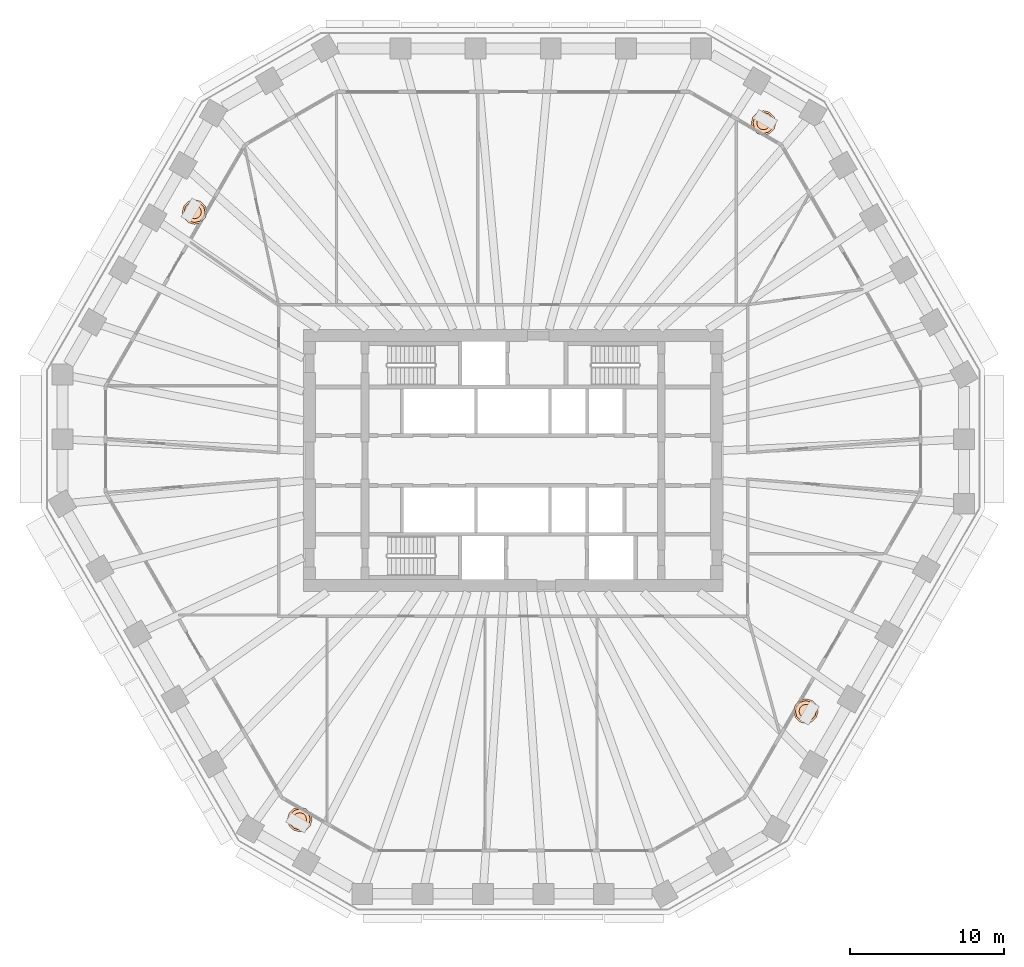
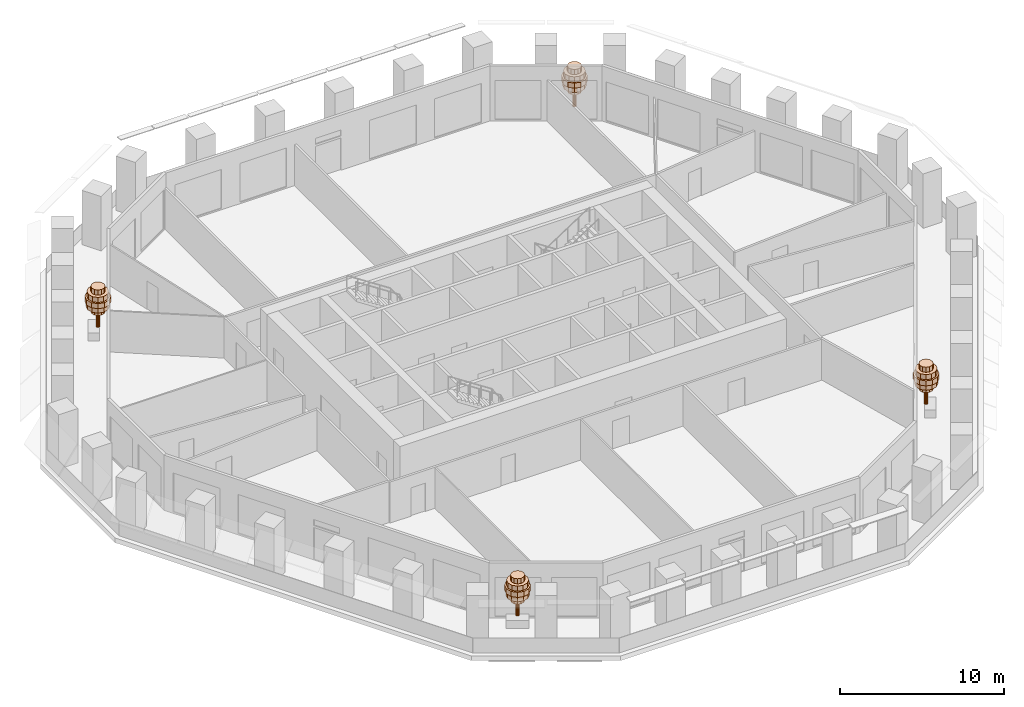
# One storey, part 12 of 12: 4 geographic elements.
"""IFC4 building model written with IfcOpenShell, lengths in metres."""

from ifc_helpers import new_model, si_unit, direction, frame, origin, place, context, subcontext, project, spatial, polyline, outline, extrude, material, type_object, element, save


model = new_model("IFC4")

# Units and contexts
model_context = context("Model", 3, precision=1e-05, world=origin(), true_north=direction((0.0, 1.0)))
body_context = subcontext(model_context, "Body", "Model", "MODEL_VIEW")
ifc_project = project(units=[si_unit("LENGTHUNIT", "METRE"), si_unit("AREAUNIT", "SQUARE_METRE"), si_unit("VOLUMEUNIT", "CUBIC_METRE"), si_unit("PLANEANGLEUNIT", "RADIAN"), si_unit("MASSUNIT", "GRAM", prefix="KILO")], contexts=[model_context])

# Site, building, storey
site_placement = place(None, origin())
site = spatial("IfcSite", under=ifc_project, at=site_placement, CompositionType="ELEMENT")
building_placement = place(site_placement, origin())
building = spatial("IfcBuilding", under=site, at=building_placement, Name="Frailejon Research Tower", CompositionType="ELEMENT")
storey_placement = place(building_placement, frame((0.0, 0.0, 130.800048828125)))
storey = spatial("IfcBuildingStorey", under=building, at=storey_placement, Name="L28", CompositionType="ELEMENT", Elevation=130.800048828125)

# Geographic elements
ifc_material = material(Name="Foliage, green")
geographic_element_type = type_object("IfcGeographicElementType", Name="Frailejon tree, loggia", PredefinedType="USERDEFINED", material=ifc_material)
geographic_element_1_placement = place(storey_placement, frame((16.22802734375, 21.878173828125, 0.599853515625)))
element("IfcGeographicElement", 1, at=geographic_element_1_placement, inside=storey, type_object=geographic_element_type, Name="Tree L28", ObjectType="TREE", PredefinedType="USERDEFINED", context=body_context, shape_type="SweptSolid", body=[
    extrude(outline(polyline([(0.1298828125, 0.0), (0.112548828125, 0.06494140625), (0.06494140625, 0.112548828125), (0.0, 0.1298828125), (-0.06494140625, 0.112548828125), (-0.112548828125, 0.06494140625), (-0.1298828125, 0.0), (-0.112548828125, -0.06494140625), (-0.06494140625, -0.112548828125), (0.0, -0.1298828125), (0.06494140625, -0.112548828125), (0.112548828125, -0.06494140625), (0.1298828125, 0.0)])), origin(), (0.0, 0.0, 1.0), 2.239990234375),
    extrude(outline(polyline([(0.43994140625, 0.0), (0.381103515625, 0.219970703125), (0.219970703125, 0.381103515625), (0.0, 0.43994140625), (-0.219970703125, 0.381103515625), (-0.381103515625, 0.219970703125), (-0.43994140625, 0.0), (-0.381103515625, -0.219970703125), (-0.219970703125, -0.381103515625), (0.0, -0.43994140625), (0.219970703125, -0.381103515625), (0.381103515625, -0.219970703125), (0.43994140625, 0.0)])), frame((0.0, 0.0, 1.10009765625)), (0.0, 0.0, 1.0), 0.3798828125),
    extrude(outline(polyline([(0.719970703125, 0.0), (0.62353515625, 0.360107421875), (0.360107421875, 0.62353515625), (0.0, 0.719970703125), (-0.360107421875, 0.62353515625), (-0.62353515625, 0.360107421875), (-0.719970703125, 0.0), (-0.62353515625, -0.360107421875), (-0.360107421875, -0.62353515625), (0.0, -0.719970703125), (0.360107421875, -0.62353515625), (0.62353515625, -0.360107421875), (0.719970703125, 0.0)])), frame((0.0, 0.0, 1.47998046875)), (0.0, 0.0, 1.0), 0.3798828125),
    extrude(outline(polyline([(0.800048828125, 0.0), (0.69287109375, 0.39990234375), (0.39990234375, 0.69287109375), (0.0, 0.800048828125), (-0.39990234375, 0.69287109375), (-0.69287109375, 0.39990234375), (-0.800048828125, 0.0), (-0.69287109375, -0.39990234375), (-0.39990234375, -0.69287109375), (0.0, -0.800048828125), (0.39990234375, -0.69287109375), (0.69287109375, -0.39990234375), (0.800048828125, 0.0)])), frame((0.0, 0.0, 1.860107421875)), (0.0, 0.0, 1.0), 0.3798828125),
    extrude(outline(polyline([(0.679931640625, 0.0), (0.5888671875, 0.340087890625), (0.340087890625, 0.5888671875), (0.0, 0.679931640625), (-0.340087890625, 0.5888671875), (-0.5888671875, 0.340087890625), (-0.679931640625, 0.0), (-0.5888671875, -0.340087890625), (-0.340087890625, -0.5888671875), (0.0, -0.679931640625), (0.340087890625, -0.5888671875), (0.5888671875, -0.340087890625), (0.679931640625, 0.0)])), frame((0.0, 0.0, 2.239990234375)), (0.0, 0.0, 1.0), 0.3798828125),
    extrude(outline(polyline([(0.43994140625, 0.0), (0.381103515625, 0.219970703125), (0.219970703125, 0.381103515625), (0.0, 0.43994140625), (-0.219970703125, 0.381103515625), (-0.381103515625, 0.219970703125), (-0.43994140625, 0.0), (-0.381103515625, -0.219970703125), (-0.219970703125, -0.381103515625), (0.0, -0.43994140625), (0.219970703125, -0.381103515625), (0.381103515625, -0.219970703125), (0.43994140625, 0.0)])), frame((0.0, 0.0, 2.6201171875)), (0.0, 0.0, 1.0), 0.3798828125),
])
geographic_element_2_placement = place(storey_placement, frame((-20.646728515625, 16.104248046875, 0.599853515625)))
element("IfcGeographicElement", 2, at=geographic_element_2_placement, inside=storey, type_object=geographic_element_type, Name="Tree L28", ObjectType="TREE", PredefinedType="USERDEFINED", context=body_context, shape_type="SweptSolid", body=[
    extrude(outline(polyline([(0.1298828125, 0.0), (0.112548828125, 0.06494140625), (0.06494140625, 0.112548828125), (0.0, 0.1298828125), (-0.06494140625, 0.112548828125), (-0.112548828125, 0.06494140625), (-0.1298828125, 0.0), (-0.112548828125, -0.06494140625), (-0.06494140625, -0.112548828125), (0.0, -0.1298828125), (0.06494140625, -0.112548828125), (0.112548828125, -0.06494140625), (0.1298828125, 0.0)])), origin(), (0.0, 0.0, 1.0), 2.239990234375),
    extrude(outline(polyline([(0.43994140625, 0.0), (0.381103515625, 0.219970703125), (0.219970703125, 0.381103515625), (0.0, 0.43994140625), (-0.219970703125, 0.381103515625), (-0.381103515625, 0.219970703125), (-0.43994140625, 0.0), (-0.381103515625, -0.219970703125), (-0.219970703125, -0.381103515625), (0.0, -0.43994140625), (0.219970703125, -0.381103515625), (0.381103515625, -0.219970703125), (0.43994140625, 0.0)])), frame((0.0, 0.0, 1.10009765625)), (0.0, 0.0, 1.0), 0.3798828125),
    extrude(outline(polyline([(0.719970703125, 0.0), (0.62353515625, 0.360107421875), (0.360107421875, 0.62353515625), (0.0, 0.719970703125), (-0.360107421875, 0.62353515625), (-0.62353515625, 0.360107421875), (-0.719970703125, 0.0), (-0.62353515625, -0.360107421875), (-0.360107421875, -0.62353515625), (0.0, -0.719970703125), (0.360107421875, -0.62353515625), (0.62353515625, -0.360107421875), (0.719970703125, 0.0)])), frame((0.0, 0.0, 1.47998046875)), (0.0, 0.0, 1.0), 0.3798828125),
    extrude(outline(polyline([(0.800048828125, 0.0), (0.69287109375, 0.39990234375), (0.39990234375, 0.69287109375), (0.0, 0.800048828125), (-0.39990234375, 0.69287109375), (-0.69287109375, 0.39990234375), (-0.800048828125, 0.0), (-0.69287109375, -0.39990234375), (-0.39990234375, -0.69287109375), (0.0, -0.800048828125), (0.39990234375, -0.69287109375), (0.69287109375, -0.39990234375), (0.800048828125, 0.0)])), frame((0.0, 0.0, 1.860107421875)), (0.0, 0.0, 1.0), 0.3798828125),
    extrude(outline(polyline([(0.679931640625, 0.0), (0.5888671875, 0.340087890625), (0.340087890625, 0.5888671875), (0.0, 0.679931640625), (-0.340087890625, 0.5888671875), (-0.5888671875, 0.340087890625), (-0.679931640625, 0.0), (-0.5888671875, -0.340087890625), (-0.340087890625, -0.5888671875), (0.0, -0.679931640625), (0.340087890625, -0.5888671875), (0.5888671875, -0.340087890625), (0.679931640625, 0.0)])), frame((0.0, 0.0, 2.239990234375)), (0.0, 0.0, 1.0), 0.3798828125),
    extrude(outline(polyline([(0.43994140625, 0.0), (0.381103515625, 0.219970703125), (0.219970703125, 0.381103515625), (0.0, 0.43994140625), (-0.219970703125, 0.381103515625), (-0.381103515625, 0.219970703125), (-0.43994140625, 0.0), (-0.381103515625, -0.219970703125), (-0.219970703125, -0.381103515625), (0.0, -0.43994140625), (0.219970703125, -0.381103515625), (0.381103515625, -0.219970703125), (0.43994140625, 0.0)])), frame((0.0, 0.0, 2.6201171875)), (0.0, 0.0, 1.0), 0.3798828125),
])
geographic_element_3_placement = place(storey_placement, frame((-13.8330078125, -23.260986328125, 0.599853515625)))
element("IfcGeographicElement", 3, at=geographic_element_3_placement, inside=storey, type_object=geographic_element_type, Name="Tree L28", ObjectType="TREE", PredefinedType="USERDEFINED", context=body_context, shape_type="SweptSolid", body=[
    extrude(outline(polyline([(0.1298828125, 0.0), (0.112548828125, 0.06494140625), (0.06494140625, 0.112548828125), (0.0, 0.1298828125), (-0.06494140625, 0.112548828125), (-0.112548828125, 0.06494140625), (-0.1298828125, 0.0), (-0.112548828125, -0.06494140625), (-0.06494140625, -0.112548828125), (0.0, -0.1298828125), (0.06494140625, -0.112548828125), (0.112548828125, -0.06494140625), (0.1298828125, 0.0)])), origin(), (0.0, 0.0, 1.0), 2.239990234375),
    extrude(outline(polyline([(0.43994140625, 0.0), (0.381103515625, 0.219970703125), (0.219970703125, 0.381103515625), (0.0, 0.43994140625), (-0.219970703125, 0.381103515625), (-0.381103515625, 0.219970703125), (-0.43994140625, 0.0), (-0.381103515625, -0.219970703125), (-0.219970703125, -0.381103515625), (0.0, -0.43994140625), (0.219970703125, -0.381103515625), (0.381103515625, -0.219970703125), (0.43994140625, 0.0)])), frame((0.0, 0.0, 1.10009765625)), (0.0, 0.0, 1.0), 0.3798828125),
    extrude(outline(polyline([(0.719970703125, 0.0), (0.62353515625, 0.360107421875), (0.360107421875, 0.62353515625), (0.0, 0.719970703125), (-0.360107421875, 0.62353515625), (-0.62353515625, 0.360107421875), (-0.719970703125, 0.0), (-0.62353515625, -0.360107421875), (-0.360107421875, -0.62353515625), (0.0, -0.719970703125), (0.360107421875, -0.62353515625), (0.62353515625, -0.360107421875), (0.719970703125, 0.0)])), frame((0.0, 0.0, 1.47998046875)), (0.0, 0.0, 1.0), 0.3798828125),
    extrude(outline(polyline([(0.800048828125, 0.0), (0.69287109375, 0.39990234375), (0.39990234375, 0.69287109375), (0.0, 0.800048828125), (-0.39990234375, 0.69287109375), (-0.69287109375, 0.39990234375), (-0.800048828125, 0.0), (-0.69287109375, -0.39990234375), (-0.39990234375, -0.69287109375), (0.0, -0.800048828125), (0.39990234375, -0.69287109375), (0.69287109375, -0.39990234375), (0.800048828125, 0.0)])), frame((0.0, 0.0, 1.860107421875)), (0.0, 0.0, 1.0), 0.3798828125),
    extrude(outline(polyline([(0.679931640625, 0.0), (0.5888671875, 0.340087890625), (0.340087890625, 0.5888671875), (0.0, 0.679931640625), (-0.340087890625, 0.5888671875), (-0.5888671875, 0.340087890625), (-0.679931640625, 0.0), (-0.5888671875, -0.340087890625), (-0.340087890625, -0.5888671875), (0.0, -0.679931640625), (0.340087890625, -0.5888671875), (0.5888671875, -0.340087890625), (0.679931640625, 0.0)])), frame((0.0, 0.0, 2.239990234375)), (0.0, 0.0, 1.0), 0.3798828125),
    extrude(outline(polyline([(0.43994140625, 0.0), (0.381103515625, 0.219970703125), (0.219970703125, 0.381103515625), (0.0, 0.43994140625), (-0.219970703125, 0.381103515625), (-0.381103515625, 0.219970703125), (-0.43994140625, 0.0), (-0.381103515625, -0.219970703125), (-0.219970703125, -0.381103515625), (0.0, -0.43994140625), (0.219970703125, -0.381103515625), (0.381103515625, -0.219970703125), (0.43994140625, 0.0)])), frame((0.0, 0.0, 2.6201171875)), (0.0, 0.0, 1.0), 0.3798828125),
])
geographic_element_4_placement = place(storey_placement, frame((18.97021484375, -16.242431640625, 0.599853515625)))
element("IfcGeographicElement", 4, at=geographic_element_4_placement, inside=storey, type_object=geographic_element_type, Name="Tree L28", ObjectType="TREE", PredefinedType="USERDEFINED", context=body_context, shape_type="SweptSolid", body=[
    extrude(outline(polyline([(0.1298828125, 0.0), (0.112548828125, 0.06494140625), (0.06494140625, 0.112548828125), (0.0, 0.1298828125), (-0.06494140625, 0.112548828125), (-0.112548828125, 0.06494140625), (-0.1298828125, 0.0), (-0.112548828125, -0.06494140625), (-0.06494140625, -0.112548828125), (0.0, -0.1298828125), (0.06494140625, -0.112548828125), (0.112548828125, -0.06494140625), (0.1298828125, 0.0)])), origin(), (0.0, 0.0, 1.0), 2.239990234375),
    extrude(outline(polyline([(0.43994140625, 0.0), (0.381103515625, 0.219970703125), (0.219970703125, 0.381103515625), (0.0, 0.43994140625), (-0.219970703125, 0.381103515625), (-0.381103515625, 0.219970703125), (-0.43994140625, 0.0), (-0.381103515625, -0.219970703125), (-0.219970703125, -0.381103515625), (0.0, -0.43994140625), (0.219970703125, -0.381103515625), (0.381103515625, -0.219970703125), (0.43994140625, 0.0)])), frame((0.0, 0.0, 1.10009765625)), (0.0, 0.0, 1.0), 0.3798828125),
    extrude(outline(polyline([(0.719970703125, 0.0), (0.62353515625, 0.360107421875), (0.360107421875, 0.62353515625), (0.0, 0.719970703125), (-0.360107421875, 0.62353515625), (-0.62353515625, 0.360107421875), (-0.719970703125, 0.0), (-0.62353515625, -0.360107421875), (-0.360107421875, -0.62353515625), (0.0, -0.719970703125), (0.360107421875, -0.62353515625), (0.62353515625, -0.360107421875), (0.719970703125, 0.0)])), frame((0.0, 0.0, 1.47998046875)), (0.0, 0.0, 1.0), 0.3798828125),
    extrude(outline(polyline([(0.800048828125, 0.0), (0.69287109375, 0.39990234375), (0.39990234375, 0.69287109375), (0.0, 0.800048828125), (-0.39990234375, 0.69287109375), (-0.69287109375, 0.39990234375), (-0.800048828125, 0.0), (-0.69287109375, -0.39990234375), (-0.39990234375, -0.69287109375), (0.0, -0.800048828125), (0.39990234375, -0.69287109375), (0.69287109375, -0.39990234375), (0.800048828125, 0.0)])), frame((0.0, 0.0, 1.860107421875)), (0.0, 0.0, 1.0), 0.3798828125),
    extrude(outline(polyline([(0.679931640625, 0.0), (0.5888671875, 0.340087890625), (0.340087890625, 0.5888671875), (0.0, 0.679931640625), (-0.340087890625, 0.5888671875), (-0.5888671875, 0.340087890625), (-0.679931640625, 0.0), (-0.5888671875, -0.340087890625), (-0.340087890625, -0.5888671875), (0.0, -0.679931640625), (0.340087890625, -0.5888671875), (0.5888671875, -0.340087890625), (0.679931640625, 0.0)])), frame((0.0, 0.0, 2.239990234375)), (0.0, 0.0, 1.0), 0.3798828125),
    extrude(outline(polyline([(0.43994140625, 0.0), (0.381103515625, 0.219970703125), (0.219970703125, 0.381103515625), (0.0, 0.43994140625), (-0.219970703125, 0.381103515625), (-0.381103515625, 0.219970703125), (-0.43994140625, 0.0), (-0.381103515625, -0.219970703125), (-0.219970703125, -0.381103515625), (0.0, -0.43994140625), (0.219970703125, -0.381103515625), (0.381103515625, -0.219970703125), (0.43994140625, 0.0)])), frame((0.0, 0.0, 2.6201171875)), (0.0, 0.0, 1.0), 0.3798828125),
])

save(model, "model.ifc")
